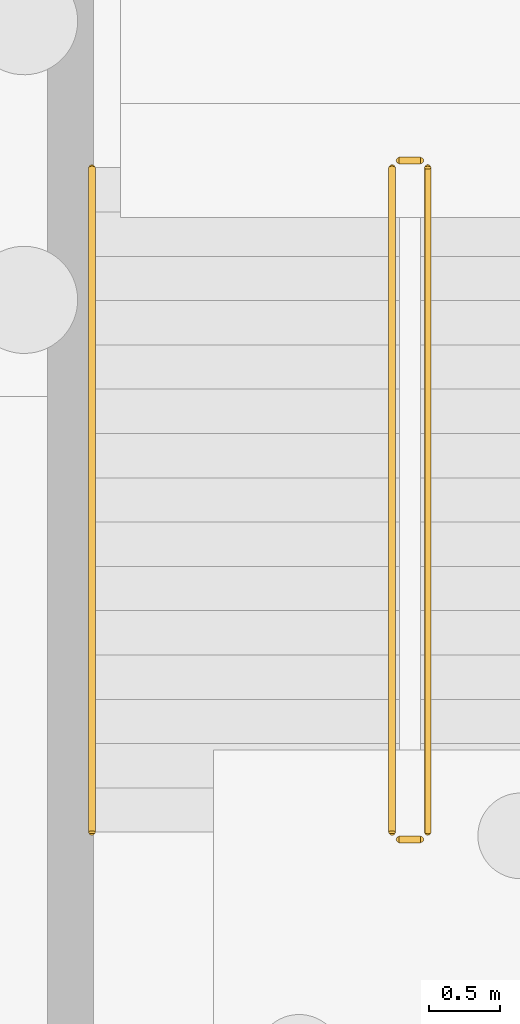
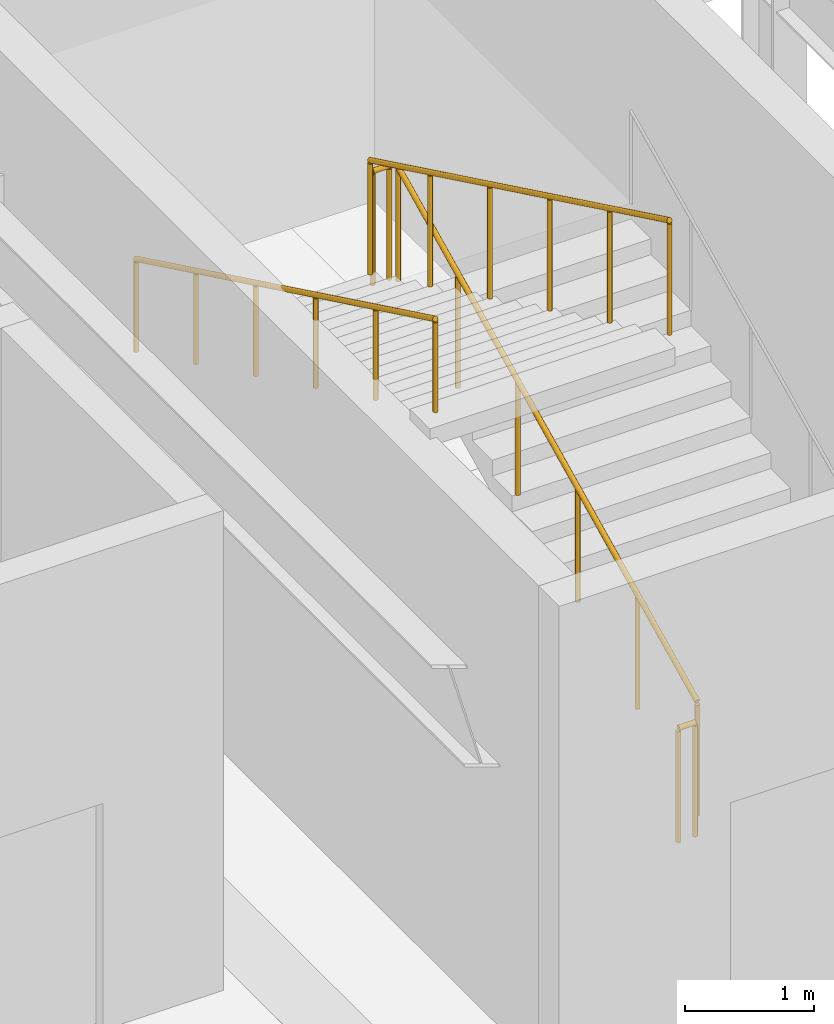
# One storey, part 56 of 64: 5 railings.
"""IFC4 building model written with IfcOpenShell, lengths in metres."""

import ifcopenshell
import ifcopenshell.guid

model = None  # the IFC model being written
_history = None  # IfcOwnerHistory: only IFC2X3 demands one
_inside = {}  # id of a spatial element -> (the spatial element, [elements in it])
_under = {}  # id of a project, library or spatial element -> (it, [spatial elements below it])
_declared = {}  # id of a project -> (the project, [libraries it declares])
_typed = {}  # id of a type object -> (the type object, [elements of that type])
_made_of = {}  # id of a material, layer set ... -> (it, [elements and type objects made of it])


def new_model(schema):
    """Start an empty IFC model of exactly this schema.

    Asked for "IFC4X3", IfcOpenShell would pick the latest addendum, in which some entities
    have other attributes; the version numbers below select the first issue.
    IFC2X3 requires an IfcOwnerHistory on every rooted entity: one is made here for all.
    """
    global model, _history
    if schema == "IFC4X3":
        model = ifcopenshell.file(schema_version=(4, 3, 0, 0))
    else:
        model = ifcopenshell.file(schema=schema)
    _inside.clear()
    _under.clear()
    _declared.clear()
    _typed.clear()
    _made_of.clear()
    _history = None
    if model.schema == "IFC2X3":
        org = make("IfcOrganization", Name="unknown")
        user = make(
            "IfcPersonAndOrganization",
            ThePerson=make("IfcPerson", FamilyName="unknown"),
            TheOrganization=org,
        )
        app = make(
            "IfcApplication",
            ApplicationDeveloper=org,
            Version="unknown",
            ApplicationFullName="unknown",
            ApplicationIdentifier="unknown",
        )
        _history = make(
            "IfcOwnerHistory",
            OwningUser=user,
            OwningApplication=app,
            ChangeAction="ADDED",
            CreationDate=0,
        )
    return model


def make(cls, **values):
    """One entity of the class cls with the attributes given. An attribute that is None is left unset."""
    return model.create_entity(
        cls, **{name: value for name, value in values.items() if value is not None}
    )


def rooted(cls, **values):
    """An entity with a GlobalId (a new one), such as an element, a storey or a relation."""
    return make(cls, GlobalId=ifcopenshell.guid.new(), OwnerHistory=_history, **values)


def si_unit(unit_type, name, prefix=None):
    """IfcSIUnit, for example si_unit("LENGTHUNIT", "METRE", prefix="MILLI")."""
    return make("IfcSIUnit", UnitType=unit_type, Prefix=prefix, Name=name)


def assignment(units):
    """IfcUnitAssignment: the units of a project."""
    return None if units is None else make("IfcUnitAssignment", Units=units)


def point(xyz):
    """IfcCartesianPoint."""
    return None if xyz is None else make("IfcCartesianPoint", Coordinates=xyz)


def direction(xyz):
    """IfcDirection."""
    return None if xyz is None else make("IfcDirection", DirectionRatios=xyz)


def frame(location, z_axis=None, x_axis=None):
    """IfcAxis2Placement3D, a coordinate frame: its origin and axes. An axis left out is left unset."""
    return make(
        "IfcAxis2Placement3D",
        Location=point(location),
        Axis=direction(z_axis),
        RefDirection=direction(x_axis),
    )


def frame_2d(location, x_axis=None):
    """IfcAxis2Placement2D, a coordinate frame in the plane: its origin and x axis."""
    return make(
        "IfcAxis2Placement2D", Location=point(location), RefDirection=direction(x_axis)
    )


def origin():
    """The frame at (0, 0, 0) with its axes left unset."""
    return frame((0.0, 0.0, 0.0))


def origin_2d():
    """The frame at (0, 0) in the plane with its x axis left unset."""
    return frame_2d((0.0, 0.0))


def place(relative_to, where):
    """IfcLocalPlacement: puts the frame where relative to a parent placement (None: the world)."""
    return make(
        "IfcLocalPlacement", PlacementRelTo=relative_to, RelativePlacement=where
    )


def context(
    kind, dimensions, precision=None, world=None, true_north=None, identifier=None
):
    """IfcGeometricRepresentationContext, for example the 3D "Model" context."""
    return make(
        "IfcGeometricRepresentationContext",
        ContextIdentifier=identifier,
        ContextType=kind,
        CoordinateSpaceDimension=dimensions,
        Precision=precision,
        WorldCoordinateSystem=world,
        TrueNorth=true_north,
    )


def subcontext(parent, identifier, kind, view, scale=None):
    """IfcGeometricRepresentationSubContext, for example "Body" below "Model"."""
    return make(
        "IfcGeometricRepresentationSubContext",
        ContextIdentifier=identifier,
        ContextType=kind,
        ParentContext=parent,
        TargetScale=scale,
        TargetView=view,
    )


def project(units=None, contexts=None):
    """IfcProject with its units and contexts."""
    return rooted(
        "IfcProject",
        Name="project",
        RepresentationContexts=contexts,
        UnitsInContext=assignment(units),
    )


def spatial(cls, under=None, at=None, **own):
    """A site, building, storey or space (cls), placed at a placement, below another one or the project."""
    s = rooted(cls, ObjectPlacement=at, **own)
    if under is not None:
        _under.setdefault(under.id(), (under, []))[1].append(s)
    return s


def profile(cls, at=None, kind="AREA", **sizes):
    """A parametric profile (cls). Its sizes go by their IFC names, for example OverallWidth=200.0."""
    return make(cls, ProfileType=kind, Position=at, **sizes)


def circle(**sizes):
    """IfcCircleProfileDef."""
    return profile("IfcCircleProfileDef", **sizes)


def extrude(swept, where, along, depth):
    """IfcExtrudedAreaSolid: the profile swept, set in the frame where, extruded along a direction by depth."""
    return make(
        "IfcExtrudedAreaSolid",
        SweptArea=swept,
        Position=where,
        ExtrudedDirection=direction(along),
        Depth=depth,
    )


def shape(context_of_items, identifier, shape_type, items):
    """IfcShapeRepresentation: the items that make up one representation, for example the "Body"."""
    return make(
        "IfcShapeRepresentation",
        ContextOfItems=context_of_items,
        RepresentationIdentifier=identifier,
        RepresentationType=shape_type,
        Items=items,
    )


def material(Name=None, Category=None):
    """IfcMaterial."""
    return make("IfcMaterial", Name=Name, Category=Category)


def made_of(thing, what):
    """Note that an element or type object is made of a material, layer set ...; save() writes the relation."""
    if what is not None:
        _made_of.setdefault(what.id(), (what, []))[1].append(thing)
    return thing


def type_object(cls, material=None, **own):
    """A type object (cls), such as IfcWallType, which elements share."""
    return made_of(rooted(cls, **own), material)


def element(
    cls,
    number,
    at=None,
    inside=None,
    cuts=None,
    type_object=None,
    material=None,
    context=None,
    identifier="Body",
    shape_type=None,
    held_by="IfcProductDefinitionShape",
    body=None,
    shapes=None,
    **own,
):
    """One element of the class cls, such as IfcWall. Its Tag is "e" and its number.

    at: its placement. inside: the storey or other place that contains it. cuts: it is an
    opening in that element (IfcRelVoidsElement). A single representation is given by context,
    identifier, shape_type and body (its items); several are given by shapes. held_by: the class
    of the entity that holds the representations. save() writes the other relations.
    """
    e = rooted(cls, Tag="e%d" % number, ObjectPlacement=at, **own)
    if body is not None:
        shapes = [shape(context, identifier, shape_type, body)]
    if shapes is not None:
        e.Representation = make(held_by, Representations=shapes)
    if inside is not None:
        _inside.setdefault(inside.id(), (inside, []))[1].append(e)
    if cuts is not None:
        rooted(
            "IfcRelVoidsElement", RelatingBuildingElement=cuts, RelatedOpeningElement=e
        )
    if type_object is not None:
        _typed.setdefault(type_object.id(), (type_object, []))[1].append(e)
    return made_of(e, material)


def aggregate(whole, parts):
    """IfcRelAggregates: a whole, such as a stair, and the parts it consists of."""
    return rooted("IfcRelAggregates", RelatingObject=whole, RelatedObjects=parts)


def save(model, path):
    """Write the relations noted so far, then the file.

    IfcRelAggregates (storeys below a building ...), IfcRelContainedInSpatialStructure (elements
    in a storey), IfcRelDefinesByType, IfcRelAssociatesMaterial and IfcRelDeclares: one each for
    every whole, place, type object, material and project.
    """
    for whole, parts in _under.values():
        aggregate(whole, parts)
    for where, things in _inside.values():
        rooted(
            "IfcRelContainedInSpatialStructure",
            RelatedElements=things,
            RelatingStructure=where,
        )
    for kind, things in _typed.values():
        rooted("IfcRelDefinesByType", RelatedObjects=things, RelatingType=kind)
    for what, things in _made_of.values():
        rooted("IfcRelAssociatesMaterial", RelatedObjects=things, RelatingMaterial=what)
    for by, libraries in _declared.values():
        rooted("IfcRelDeclares", RelatingContext=by, RelatedDefinitions=libraries)
    model.write(path)


model = new_model("IFC4")

# Units and contexts
model_context = context("Model", 3, precision=1e-05, world=origin(), true_north=direction((0.0, 1.0)))
body_context = subcontext(model_context, "Body", "Model", "MODEL_VIEW")
ifc_project = project(units=[si_unit("LENGTHUNIT", "METRE"), si_unit("AREAUNIT", "SQUARE_METRE"), si_unit("VOLUMEUNIT", "CUBIC_METRE"), si_unit("PLANEANGLEUNIT", "RADIAN"), si_unit("MASSUNIT", "GRAM", prefix="KILO")], contexts=[model_context])

# Site, building, storey
site_placement = place(None, origin())
site = spatial("IfcSite", under=ifc_project, at=site_placement, CompositionType="ELEMENT")
building_placement = place(site_placement, origin())
building = spatial("IfcBuilding", under=site, at=building_placement, Name="Solvadek Multi-Sports Hall", CompositionType="ELEMENT")
storey_placement = place(building_placement, frame((0.0, 0.0, -4.800048828125)))
storey = spatial("IfcBuildingStorey", under=building, at=storey_placement, Name="B1", CompositionType="ELEMENT", Elevation=-4.800048828125)

# Railings
ifc_material = material(Name="Steel E250 (250 MPa)", Category="steel")
railing_type_1 = type_object("IfcRailingType", Name="INT-RAL-GRD115", PredefinedType="BALUSTRADE", material=ifc_material)
railing_1_placement = place(storey_placement, frame((61.39990234375, 99.699951171875, 0.150146484375)))
element("IfcRailing", 1, at=railing_1_placement, inside=storey, type_object=railing_type_1, Name="B1 ST-03 stair guard 1", PredefinedType="BALUSTRADE", context=body_context, shape_type="SweptSolid", body=[
    extrude(circle(Radius=0.02392578125, at=origin_2d()), frame((0.0, 0.0, 1.076171875), z_axis=(0.0, 0.900164630878, 0.435549810373), x_axis=(-1.0, 0.0, 0.0)), (0.0, 0.0, 1.0), 5.165771484375),
    extrude(circle(Radius=0.02099609375, at=origin_2d()), origin(), (0.0, 0.0, 1.0), 1.052001953125),
    extrude(circle(Radius=0.02099609375, at=origin_2d()), frame((0.0, 0.929931640625, 0.449951171875)), (0.0, 0.0, 1.0), 1.052001953125),
    extrude(circle(Radius=0.02099609375, at=origin_2d()), frame((0.0, 1.860107421875, 0.89990234375)), (0.0, 0.0, 1.0), 1.052001953125),
    extrude(circle(Radius=0.02099609375, at=origin_2d()), frame((0.0, 2.7900390625, 1.35009765625)), (0.0, 0.0, 1.0), 1.052001953125),
    extrude(circle(Radius=0.02099609375, at=origin_2d()), frame((0.0, 3.72021484375, 1.800048828125)), (0.0, 0.0, 1.0), 1.052001953125),
    extrude(circle(Radius=0.02099609375, at=origin_2d()), frame((0.0, 4.650146484375, 2.25)), (0.0, 0.0, 1.0), 1.052001953125),
])
railing_2_placement = place(storey_placement, frame((61.35009765625, 104.39990234375, 2.400146484375)))
element("IfcRailing", 2, at=railing_2_placement, inside=storey, type_object=railing_type_1, Name="B1 ST-03 stair guard 2", PredefinedType="BALUSTRADE", context=body_context, shape_type="SweptSolid", body=[
    extrude(circle(Radius=0.02392578125, at=origin_2d()), frame((0.0, 0.0, 1.076171875), z_axis=(-1.0, 0.0, 0.0), x_axis=(0.0, -1.0, 0.0)), (0.0, 0.0, 1.0), 0.150146484375),
    extrude(circle(Radius=0.02099609375, at=origin_2d()), origin(), (0.0, 0.0, 1.0), 1.052001953125),
    extrude(circle(Radius=0.02099609375, at=origin_2d()), frame((-0.150146484375, 0.0, 0.0)), (0.0, 0.0, 1.0), 1.052001953125),
])
railing_3_placement = place(storey_placement, frame((61.14990234375, 104.35009765625, 2.550048828125)))
element("IfcRailing", 3, at=railing_3_placement, inside=storey, type_object=railing_type_1, Name="B1 ST-03 stair guard 3", PredefinedType="BALUSTRADE", context=body_context, shape_type="SweptSolid", body=[
    extrude(circle(Radius=0.02392578125, at=origin_2d()), frame((0.0, 0.0, 1.076171875), z_axis=(0.0, -0.900164630878, 0.435549810373), x_axis=(1.0, 0.0, 0.0)), (0.0, 0.0, 1.0), 5.165771484375),
    extrude(circle(Radius=0.02099609375, at=origin_2d()), origin(), (0.0, 0.0, 1.0), 1.052001953125),
    extrude(circle(Radius=0.02099609375, at=origin_2d()), frame((0.0, -0.929931640625, 0.449951171875)), (0.0, 0.0, 1.0), 1.052001953125),
    extrude(circle(Radius=0.02099609375, at=origin_2d()), frame((0.0, -1.860107421875, 0.89990234375)), (0.0, 0.0, 1.0), 1.052001953125),
    extrude(circle(Radius=0.02099609375, at=origin_2d()), frame((0.0, -2.7900390625, 1.35009765625)), (0.0, 0.0, 1.0), 1.052001953125),
    extrude(circle(Radius=0.02099609375, at=origin_2d()), frame((0.0, -3.72021484375, 1.800048828125)), (0.0, 0.0, 1.0), 1.052001953125),
    extrude(circle(Radius=0.02099609375, at=origin_2d()), frame((0.0, -4.650146484375, 2.25)), (0.0, 0.0, 1.0), 1.052001953125),
])
railing_4_placement = place(storey_placement, frame((61.35009765625, 99.64990234375, 0.0)))
element("IfcRailing", 4, at=railing_4_placement, inside=storey, type_object=railing_type_1, Name="B1 ST-03 stair guard 4", PredefinedType="BALUSTRADE", context=body_context, shape_type="SweptSolid", body=[
    extrude(circle(Radius=0.02392578125, at=origin_2d()), frame((0.0, 0.0, 1.076171875), z_axis=(-1.0, 0.0, 0.0), x_axis=(0.0, -1.0, 0.0)), (0.0, 0.0, 1.0), 0.150146484375),
    extrude(circle(Radius=0.02099609375, at=origin_2d()), origin(), (0.0, 0.0, 1.0), 1.052001953125),
    extrude(circle(Radius=0.02099609375, at=origin_2d()), frame((-0.150146484375, 0.0, 0.0)), (0.0, 0.0, 1.0), 1.052001953125),
])
railing_type_2 = type_object("IfcRailingType", Name="INT-RAL-HND090", PredefinedType="HANDRAIL", material=ifc_material)
railing_5_placement = place(storey_placement, frame((59.050048828125, 104.35009765625, 2.550048828125)))
element("IfcRailing", 5, at=railing_5_placement, inside=storey, type_object=railing_type_2, Name="B1 ST-03 stair handrail 2", PredefinedType="HANDRAIL", context=body_context, shape_type="SweptSolid", body=[
    extrude(circle(Radius=0.02392578125, at=origin_2d()), frame((0.0, 0.0, 0.8759765625), z_axis=(0.0, -0.900164630878, 0.435549810373), x_axis=(1.0, 0.0, 0.0)), (0.0, 0.0, 1.0), 5.165771484375),
    extrude(circle(Radius=0.02099609375, at=origin_2d()), origin(), (0.0, 0.0, 1.0), 0.851806640625),
    extrude(circle(Radius=0.02099609375, at=origin_2d()), frame((0.0, -0.929931640625, 0.449951171875)), (0.0, 0.0, 1.0), 0.851806640625),
    extrude(circle(Radius=0.02099609375, at=origin_2d()), frame((0.0, -1.860107421875, 0.89990234375)), (0.0, 0.0, 1.0), 0.851806640625),
    extrude(circle(Radius=0.02099609375, at=origin_2d()), frame((0.0, -2.7900390625, 1.35009765625)), (0.0, 0.0, 1.0), 0.851806640625),
    extrude(circle(Radius=0.02099609375, at=origin_2d()), frame((0.0, -3.72021484375, 1.800048828125)), (0.0, 0.0, 1.0), 0.851806640625),
    extrude(circle(Radius=0.02099609375, at=origin_2d()), frame((0.0, -4.650146484375, 2.25)), (0.0, 0.0, 1.0), 0.851806640625),
])

save(model, "model.ifc")
